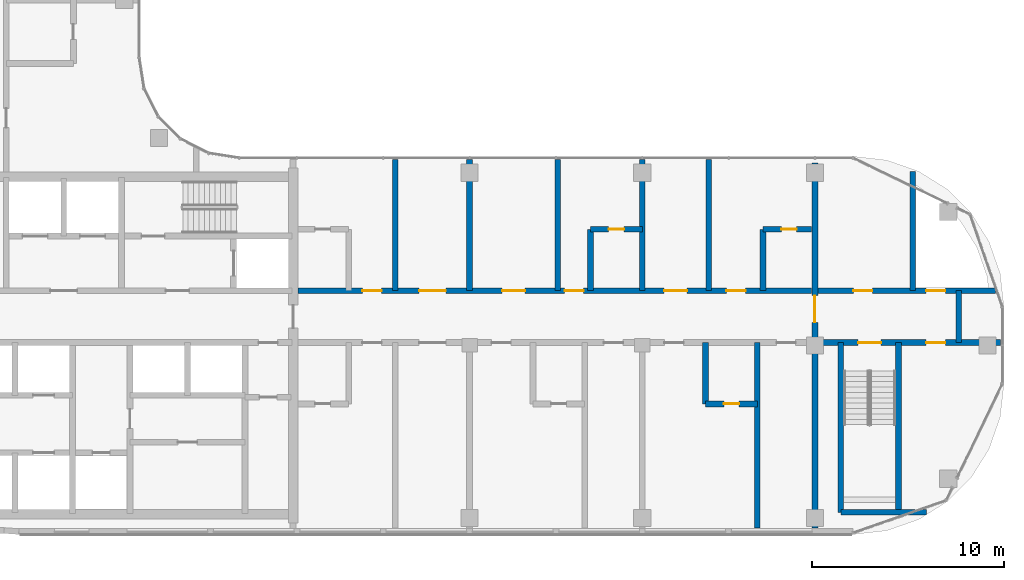
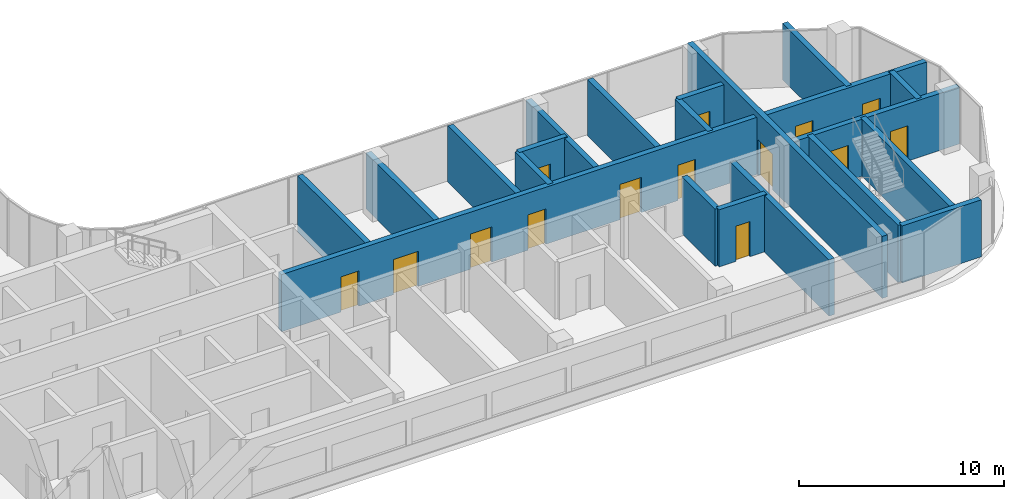
# One storey, part 15 of 20: 21 walls, 14 doors, 14 openings.
"""IFC4 building model written with IfcOpenShell, lengths in metres."""

from ifc_helpers import new_model, si_unit, direction, frame, frame_2d, origin, place, context, subcontext, project, spatial, rectangle, extrude, material, layer, layer_set, type_object, element, fill, save


model = new_model("IFC4")

# Units and contexts
model_context = context("Model", 3, precision=1e-05, world=origin(), true_north=direction((0.0, 1.0)))
body_context = subcontext(model_context, "Body", "Model", "MODEL_VIEW")
ifc_project = project(units=[si_unit("LENGTHUNIT", "METRE"), si_unit("AREAUNIT", "SQUARE_METRE"), si_unit("VOLUMEUNIT", "CUBIC_METRE"), si_unit("PLANEANGLEUNIT", "RADIAN"), si_unit("MASSUNIT", "GRAM", prefix="KILO")], contexts=[model_context])

# Site, building, storey
site_placement = place(None, origin())
site = spatial("IfcSite", under=ifc_project, at=site_placement, CompositionType="ELEMENT")
building_placement = place(site_placement, origin())
building = spatial("IfcBuilding", under=site, at=building_placement, Name="Ogive Portal Towers", CompositionType="ELEMENT")
storey_placement = place(building_placement, frame((0.0, 0.0, 210.60009765625)))
storey = spatial("IfcBuildingStorey", under=building, at=storey_placement, Name="L52", CompositionType="ELEMENT", Elevation=210.60009765625)

# Wall, opening, door
ifc_material_1 = material(Name="Concrete C60/75", Category="concrete")
ifc_layer_1 = layer(ifc_material_1, 0.300048828125)
ifc_layer_set_1 = layer_set([ifc_layer_1], Name="REVEAL WALL 300 C60")
wall_type_1 = type_object("IfcWallType", Name="REVEAL WALL 300 C60", PredefinedType="SHEAR", material=ifc_layer_set_1)
wall_1_placement = place(storey_placement, frame((85.5, 20.9951171875, 0.0), z_axis=(0.0, 0.0, 1.0), x_axis=(0.0, 1.0, 0.0)))
wall_1 = element("IfcWall", 1, at=wall_1_placement, inside=storey, type_object=wall_type_1, Name="Portal reveal wall L52", PredefinedType="SHEAR", context=body_context, shape_type="SweptSolid", body=[
    extrude(rectangle(XDim=19.009765625, YDim=0.300048828125, at=frame_2d((9.5048828125, 0.0))), origin(), (0.0, 0.0, 1.0), 3.699951171875),
])
opening_1_placement = place(wall_1_placement, frame((10.705078125, 0.0, 0.0)))
opening_1 = element("IfcOpeningElement", 2, at=opening_1_placement, cuts=wall_1, Name="Opening D23-060", PredefinedType="OPENING", context=body_context, shape_type="SweptSolid", body=[
    extrude(rectangle(XDim=1.39990234375, YDim=2.10009765625, at=frame_2d((0.699951171875, 1.050048828125))), frame((0.0, 0.16015625, 0.0), z_axis=(0.0, -1.0, 0.0), x_axis=(1.0, 0.0, 0.0)), (0.0, 0.0, 1.0), 0.320068359375),
])
ifc_material_2 = material(Name="Steel fire door", Category="steel")
door_type_1 = type_object("IfcDoorType", Name="DT-STAIR-1400x2100-FD90S", OperationType="SINGLE_SWING_LEFT", PredefinedType="DOOR", material=ifc_material_2)
door_1_placement = place(opening_1_placement, origin())
door_1 = element("IfcDoor", 3, at=door_1_placement, inside=storey, type_object=door_type_1, Name="Door D23-060", OperationType="SINGLE_SWING_RIGHT", OverallHeight=2.10009765625, OverallWidth=1.39990234375, PredefinedType="DOOR", context=body_context, shape_type="SweptSolid", body=[
    extrude(rectangle(XDim=1.39990234375, YDim=2.10009765625, at=frame_2d((0.699951171875, 1.050048828125))), frame((0.0, 0.02490234375, 0.0), z_axis=(0.0, -1.0, 0.0), x_axis=(1.0, 0.0, 0.0)), (0.0, 0.0, 1.0), 0.050048828125),
])
fill(opening_1, door_1)

# Wall
ifc_material_3 = material(Name="Concrete C50/60", Category="concrete")
ifc_layer_2 = layer(ifc_material_3, 0.300048828125)
ifc_layer_set_2 = layer_set([ifc_layer_2], Name="STAIR WALL 300 C50")
wall_type_2 = type_object("IfcWallType", Name="STAIR WALL 300 C50", PredefinedType="SHEAR", material=ifc_layer_set_2)
wall_2_placement = place(storey_placement, frame((86.85009765625, 21.800048828125, 0.0), z_axis=(0.0, 0.0, 1.0), x_axis=(1.0, 0.0, 0.0)))
element("IfcWall", 4, at=wall_2_placement, inside=storey, type_object=wall_type_2, Name="Stair wall ST-A4 L52", PredefinedType="SHEAR", context=body_context, shape_type="SweptSolid", body=[
    extrude(rectangle(XDim=4.4599609375, YDim=0.300048828125, at=frame_2d((2.22998046875, 0.0))), origin(), (0.0, 0.0, 1.0), 3.39990234375),
])

# Wall, openings, doors
wall_3_placement = place(storey_placement, frame((85.669921875, 30.64990234375, 0.0), z_axis=(0.0, 0.0, 1.0), x_axis=(1.0, 0.0, 0.0)))
wall_3 = element("IfcWall", 5, at=wall_3_placement, inside=storey, type_object=wall_type_2, Name="Stair wall ST-A4 L52", PredefinedType="SHEAR", context=body_context, shape_type="SweptSolid", body=[
    extrude(rectangle(XDim=9.51513671875, YDim=0.300048828125, at=frame_2d((4.757568359375, 0.0))), origin(), (0.0, 0.0, 1.0), 3.39990234375),
])
opening_2_placement = place(wall_3_placement, frame((2.080078125, 0.0, 0.0)))
opening_2 = element("IfcOpeningElement", 6, at=opening_2_placement, cuts=wall_3, Name="Opening D23-056", PredefinedType="OPENING", context=body_context, shape_type="SweptSolid", body=[
    extrude(rectangle(XDim=1.199951171875, YDim=2.10009765625, at=frame_2d((0.60009765625, 1.050048828125))), frame((0.0, 0.16015625, 0.0), z_axis=(0.0, -1.0, 0.0), x_axis=(1.0, 0.0, 0.0)), (0.0, 0.0, 1.0), 0.320068359375),
])
opening_3_placement = place(wall_3_placement, frame((5.6298828125, 0.0, 0.0)))
opening_3 = element("IfcOpeningElement", 7, at=opening_3_placement, cuts=wall_3, Name="Opening D23-059", PredefinedType="OPENING", context=body_context, shape_type="SweptSolid", body=[
    extrude(rectangle(XDim=1.0, YDim=2.10009765625, at=frame_2d((0.5, 1.050048828125))), frame((0.0, 0.16015625, 0.0), z_axis=(0.0, -1.0, 0.0), x_axis=(1.0, 0.0, 0.0)), (0.0, 0.0, 1.0), 0.320068359375),
])
door_type_2 = type_object("IfcDoorType", Name="DT-SERVICE-1000x2100-FD90S", OperationType="SINGLE_SWING_LEFT", PredefinedType="DOOR", material=ifc_material_2)
door_2_placement = place(opening_3_placement, origin())
door_2 = element("IfcDoor", 8, at=door_2_placement, inside=storey, type_object=door_type_2, Name="Door D23-059", OperationType="SINGLE_SWING_LEFT", OverallHeight=2.10009765625, OverallWidth=1.0, PredefinedType="DOOR", context=body_context, shape_type="SweptSolid", body=[
    extrude(rectangle(XDim=1.0, YDim=2.10009765625, at=frame_2d((0.5, 1.050048828125))), frame((0.0, 0.02490234375, 0.0), z_axis=(0.0, -1.0, 0.0), x_axis=(1.0, 0.0, 0.0)), (0.0, 0.0, 1.0), 0.050048828125),
])
fill(opening_3, door_2)
door_type_3 = type_object("IfcDoorType", Name="DT-STAIR-1200x2100-FD90S", OperationType="SINGLE_SWING_LEFT", PredefinedType="DOOR", material=ifc_material_2)
door_3_placement = place(opening_2_placement, origin())
door_3 = element("IfcDoor", 9, at=door_3_placement, inside=storey, type_object=door_type_3, Name="Door D23-056", OperationType="SINGLE_SWING_LEFT", OverallHeight=2.10009765625, OverallWidth=1.199951171875, PredefinedType="DOOR", context=body_context, shape_type="SweptSolid", body=[
    extrude(rectangle(XDim=1.199951171875, YDim=2.10009765625, at=frame_2d((0.60009765625, 1.050048828125))), frame((0.0, 0.02490234375, 0.0), z_axis=(0.0, -1.0, 0.0), x_axis=(1.0, 0.0, 0.0)), (0.0, 0.0, 1.0), 0.050048828125),
])
fill(opening_2, door_3)

# Walls
for number, where, z_axis, x_axis, name in (
    (10, (86.85009765625, 21.800048828125, 0.0), (0.0, 0.0, 1.0), (0.0, 1.0, 0.0), "Stair wall ST-A4 L52"),
    (11, (89.85009765625, 21.800048828125, 0.0), (0.0, 0.0, 1.0), (0.0, 1.0, 0.0), "Stair wall ST-A4 L52"),
):
    element("IfcWall", number, at=place(storey_placement, frame(where, z_axis=z_axis, x_axis=x_axis)), inside=storey, type_object=wall_type_2, Name=name, PredefinedType="SHEAR", context=body_context, shape_type="SweptSolid", body=[
        extrude(rectangle(XDim=8.849853515625, YDim=0.300048828125, at=frame_2d((4.4248046875, 0.0))), origin(), (0.0, 0.0, 1.0), 3.39990234375),
    ])

# Wall, openings, doors
ifc_material_4 = material(Name="Gypsum board partition on steel studs", Category="steel")
ifc_layer_3 = layer(ifc_material_4, 0.300048828125)
ifc_layer_set_3 = layer_set([ifc_layer_3], Name="WT-PART-300-EI 120")
wall_type_3 = type_object("IfcWallType", Name="WT-PART-300-EI 120", PredefinedType="PARTITIONING", material=ifc_layer_set_3)
wall_4_placement = place(storey_placement, frame((58.550048828125, 33.35009765625, 0.0), z_axis=(0.0, 0.0, 1.0), x_axis=(1.0, 0.0, 0.0)))
wall_4 = element("IfcWall", 12, at=wall_4_placement, inside=storey, type_object=wall_type_3, Name="Wall L52:w007", PredefinedType="PARTITIONING", context=body_context, shape_type="SweptSolid", body=[
    extrude(rectangle(XDim=26.780029296875, YDim=0.300048828125, at=frame_2d((13.39013671875, 0.0))), origin(), (0.0, 0.0, 1.0), 3.39990234375),
])
opening_4_placement = place(wall_4_placement, frame((3.364990234375, 0.0, 0.0)))
opening_4 = element("IfcOpeningElement", 13, at=opening_4_placement, cuts=wall_4, Name="Opening D23-028", PredefinedType="OPENING", context=body_context, shape_type="SweptSolid", body=[
    extrude(rectangle(XDim=1.0, YDim=2.10009765625, at=frame_2d((0.5, 1.050048828125))), frame((0.0, 0.16015625, 0.0), z_axis=(0.0, -1.0, 0.0), x_axis=(1.0, 0.0, 0.0)), (0.0, 0.0, 1.0), 0.320068359375),
])
opening_5_placement = place(wall_4_placement, frame((6.31494140625, 0.0, 0.0)))
opening_5 = element("IfcOpeningElement", 14, at=opening_5_placement, cuts=wall_4, Name="Opening D23-029", PredefinedType="OPENING", context=body_context, shape_type="SweptSolid", body=[
    extrude(rectangle(XDim=1.39990234375, YDim=2.10009765625, at=frame_2d((0.699951171875, 1.050048828125))), frame((0.0, 0.16015625, 0.0), z_axis=(0.0, -1.0, 0.0), x_axis=(1.0, 0.0, 0.0)), (0.0, 0.0, 1.0), 0.320068359375),
])
opening_6_placement = place(wall_4_placement, frame((10.64990234375, 0.0, 0.0)))
opening_6 = element("IfcOpeningElement", 15, at=opening_6_placement, cuts=wall_4, Name="Opening D23-033", PredefinedType="OPENING", context=body_context, shape_type="SweptSolid", body=[
    extrude(rectangle(XDim=1.199951171875, YDim=2.10009765625, at=frame_2d((0.60009765625, 1.050048828125))), frame((0.0, 0.16015625, 0.0), z_axis=(0.0, -1.0, 0.0), x_axis=(1.0, 0.0, 0.0)), (0.0, 0.0, 1.0), 0.320068359375),
])
opening_7_placement = place(wall_4_placement, frame((13.89990234375, 0.0, 0.0)))
opening_7 = element("IfcOpeningElement", 16, at=opening_7_placement, cuts=wall_4, Name="Opening D23-035", PredefinedType="OPENING", context=body_context, shape_type="SweptSolid", body=[
    extrude(rectangle(XDim=1.0, YDim=2.10009765625, at=frame_2d((0.5, 1.050048828125))), frame((0.0, 0.16015625, 0.0), z_axis=(0.0, -1.0, 0.0), x_axis=(1.0, 0.0, 0.0)), (0.0, 0.0, 1.0), 0.320068359375),
])
opening_8_placement = place(wall_4_placement, frame((19.0849609375, 0.0, 0.0)))
opening_8 = element("IfcOpeningElement", 17, at=opening_8_placement, cuts=wall_4, Name="Opening D23-039", PredefinedType="OPENING", context=body_context, shape_type="SweptSolid", body=[
    extrude(rectangle(XDim=1.199951171875, YDim=2.10009765625, at=frame_2d((0.60009765625, 1.050048828125))), frame((0.0, 0.16015625, 0.0), z_axis=(0.0, -1.0, 0.0), x_axis=(1.0, 0.0, 0.0)), (0.0, 0.0, 1.0), 0.320068359375),
])
opening_9_placement = place(wall_4_placement, frame((22.3349609375, 0.0, 0.0)))
opening_9 = element("IfcOpeningElement", 18, at=opening_9_placement, cuts=wall_4, Name="Opening D23-041", PredefinedType="OPENING", context=body_context, shape_type="SweptSolid", body=[
    extrude(rectangle(XDim=1.0, YDim=2.10009765625, at=frame_2d((0.5, 1.050048828125))), frame((0.0, 0.16015625, 0.0), z_axis=(0.0, -1.0, 0.0), x_axis=(1.0, 0.0, 0.0)), (0.0, 0.0, 1.0), 0.320068359375),
])
door_type_4 = type_object("IfcDoorType", Name="DT-ENTRY-1000x2100-FD90S", OperationType="SINGLE_SWING_LEFT", PredefinedType="DOOR", material=ifc_material_2)
door_4_placement = place(opening_4_placement, origin())
door_4 = element("IfcDoor", 19, at=door_4_placement, inside=storey, type_object=door_type_4, Name="Door D23-028", OperationType="SINGLE_SWING_LEFT", OverallHeight=2.10009765625, OverallWidth=1.0, PredefinedType="DOOR", context=body_context, shape_type="SweptSolid", body=[
    extrude(rectangle(XDim=1.0, YDim=2.10009765625, at=frame_2d((0.5, 1.050048828125))), frame((0.0, 0.02490234375, 0.0), z_axis=(0.0, -1.0, 0.0), x_axis=(1.0, 0.0, 0.0)), (0.0, 0.0, 1.0), 0.050048828125),
])
fill(opening_4, door_4)
door_5_placement = place(opening_7_placement, origin())
door_5 = element("IfcDoor", 20, at=door_5_placement, inside=storey, type_object=door_type_4, Name="Door D23-035", OperationType="SINGLE_SWING_LEFT", OverallHeight=2.10009765625, OverallWidth=1.0, PredefinedType="DOOR", context=body_context, shape_type="SweptSolid", body=[
    extrude(rectangle(XDim=1.0, YDim=2.10009765625, at=frame_2d((0.5, 1.050048828125))), frame((0.0, 0.02490234375, 0.0), z_axis=(0.0, -1.0, 0.0), x_axis=(1.0, 0.0, 0.0)), (0.0, 0.0, 1.0), 0.050048828125),
])
fill(opening_7, door_5)
door_6_placement = place(opening_9_placement, origin())
door_6 = element("IfcDoor", 21, at=door_6_placement, inside=storey, type_object=door_type_4, Name="Door D23-041", OperationType="SINGLE_SWING_LEFT", OverallHeight=2.10009765625, OverallWidth=1.0, PredefinedType="DOOR", context=body_context, shape_type="SweptSolid", body=[
    extrude(rectangle(XDim=1.0, YDim=2.10009765625, at=frame_2d((0.5, 1.050048828125))), frame((0.0, 0.02490234375, 0.0), z_axis=(0.0, -1.0, 0.0), x_axis=(1.0, 0.0, 0.0)), (0.0, 0.0, 1.0), 0.050048828125),
])
fill(opening_9, door_6)
door_type_5 = type_object("IfcDoorType", Name="DT-ENTRY-1200x2100-FD90S", OperationType="SINGLE_SWING_LEFT", PredefinedType="DOOR", material=ifc_material_2)
door_7_placement = place(opening_6_placement, origin())
door_7 = element("IfcDoor", 22, at=door_7_placement, inside=storey, type_object=door_type_5, Name="Door D23-033", OperationType="SINGLE_SWING_LEFT", OverallHeight=2.10009765625, OverallWidth=1.199951171875, PredefinedType="DOOR", context=body_context, shape_type="SweptSolid", body=[
    extrude(rectangle(XDim=1.199951171875, YDim=2.10009765625, at=frame_2d((0.60009765625, 1.050048828125))), frame((0.0, 0.02490234375, 0.0), z_axis=(0.0, -1.0, 0.0), x_axis=(1.0, 0.0, 0.0)), (0.0, 0.0, 1.0), 0.050048828125),
])
fill(opening_6, door_7)
door_8_placement = place(opening_8_placement, origin())
door_8 = element("IfcDoor", 23, at=door_8_placement, inside=storey, type_object=door_type_5, Name="Door D23-039", OperationType="SINGLE_SWING_LEFT", OverallHeight=2.10009765625, OverallWidth=1.199951171875, PredefinedType="DOOR", context=body_context, shape_type="SweptSolid", body=[
    extrude(rectangle(XDim=1.199951171875, YDim=2.10009765625, at=frame_2d((0.60009765625, 1.050048828125))), frame((0.0, 0.02490234375, 0.0), z_axis=(0.0, -1.0, 0.0), x_axis=(1.0, 0.0, 0.0)), (0.0, 0.0, 1.0), 0.050048828125),
])
fill(opening_8, door_8)
door_type_6 = type_object("IfcDoorType", Name="DT-ENTRY-1400x2100-FD90S", OperationType="SINGLE_SWING_LEFT", PredefinedType="DOOR", material=ifc_material_2)
door_9_placement = place(opening_5_placement, origin())
door_9 = element("IfcDoor", 24, at=door_9_placement, inside=storey, type_object=door_type_6, Name="Door D23-029", OperationType="SINGLE_SWING_RIGHT", OverallHeight=2.10009765625, OverallWidth=1.39990234375, PredefinedType="DOOR", context=body_context, shape_type="SweptSolid", body=[
    extrude(rectangle(XDim=1.39990234375, YDim=2.10009765625, at=frame_2d((0.699951171875, 1.050048828125))), frame((0.0, 0.02490234375, 0.0), z_axis=(0.0, -1.0, 0.0), x_axis=(1.0, 0.0, 0.0)), (0.0, 0.0, 1.0), 0.050048828125),
])
fill(opening_5, door_9)

wall_5_placement = place(storey_placement, frame((85.669921875, 33.35009765625, 0.0), z_axis=(0.0, 0.0, 1.0), x_axis=(1.0, 0.0, 0.0)))
wall_5 = element("IfcWall", 25, at=wall_5_placement, inside=storey, type_object=wall_type_3, Name="Wall L52:w008", PredefinedType="PARTITIONING", context=body_context, shape_type="SweptSolid", body=[
    extrude(rectangle(XDim=9.237060546875, YDim=0.300048828125, at=frame_2d((4.61865234375, 0.0))), origin(), (0.0, 0.0, 1.0), 3.349853515625),
])
opening_10_placement = place(wall_5_placement, frame((1.830078125, 0.0, 0.0)))
opening_10 = element("IfcOpeningElement", 26, at=opening_10_placement, cuts=wall_5, Name="Opening D23-057", PredefinedType="OPENING", context=body_context, shape_type="SweptSolid", body=[
    extrude(rectangle(XDim=1.0, YDim=2.10009765625, at=frame_2d((0.5, 1.050048828125))), frame((0.0, 0.16015625, 0.0), z_axis=(0.0, -1.0, 0.0), x_axis=(1.0, 0.0, 0.0)), (0.0, 0.0, 1.0), 0.320068359375),
])
opening_11_placement = place(wall_5_placement, frame((5.6298828125, 0.0, 0.0)))
opening_11 = element("IfcOpeningElement", 27, at=opening_11_placement, cuts=wall_5, Name="Opening D23-058", PredefinedType="OPENING", context=body_context, shape_type="SweptSolid", body=[
    extrude(rectangle(XDim=1.0, YDim=2.10009765625, at=frame_2d((0.5, 1.050048828125))), frame((0.0, 0.16015625, 0.0), z_axis=(0.0, -1.0, 0.0), x_axis=(1.0, 0.0, 0.0)), (0.0, 0.0, 1.0), 0.320068359375),
])
door_10_placement = place(opening_10_placement, origin())
door_10 = element("IfcDoor", 28, at=door_10_placement, inside=storey, type_object=door_type_2, Name="Door D23-057", OperationType="SINGLE_SWING_LEFT", OverallHeight=2.10009765625, OverallWidth=1.0, PredefinedType="DOOR", context=body_context, shape_type="SweptSolid", body=[
    extrude(rectangle(XDim=1.0, YDim=2.10009765625, at=frame_2d((0.5, 1.050048828125))), frame((0.0, 0.02490234375, 0.0), z_axis=(0.0, -1.0, 0.0), x_axis=(1.0, 0.0, 0.0)), (0.0, 0.0, 1.0), 0.050048828125),
])
fill(opening_10, door_10)
door_11_placement = place(opening_11_placement, origin())
door_11 = element("IfcDoor", 29, at=door_11_placement, inside=storey, type_object=door_type_2, Name="Riser access door D23-058", OperationType="SINGLE_SWING_RIGHT", OverallHeight=2.10009765625, OverallWidth=1.0, PredefinedType="DOOR", context=body_context, shape_type="SweptSolid", body=[
    extrude(rectangle(XDim=1.0, YDim=2.10009765625, at=frame_2d((0.5, 1.050048828125))), frame((0.0, 0.02490234375, 0.0), z_axis=(0.0, -1.0, 0.0), x_axis=(1.0, 0.0, 0.0)), (0.0, 0.0, 1.0), 0.050048828125),
])
fill(opening_11, door_11)

# Wall
wall_6_placement = place(storey_placement, frame((93.0, 30.64990234375, 0.0), z_axis=(0.0, 0.0, 1.0), x_axis=(0.0, 1.0, 0.0)))
element("IfcWall", 30, at=wall_6_placement, inside=storey, type_object=wall_type_3, Name="Wall L52:w048", PredefinedType="PARTITIONING", context=body_context, shape_type="SweptSolid", body=[
    extrude(rectangle(XDim=2.7001953125, YDim=0.300048828125, at=frame_2d((1.35009765625, 0.0))), origin(), (0.0, 0.0, 1.0), 3.39990234375),
])

# Wall, opening, door
ifc_layer_4 = layer(ifc_material_4, 0.300048828125)
ifc_layer_set_4 = layer_set([ifc_layer_4], Name="WT-PART-300-EI 60")
wall_type_4 = type_object("IfcWallType", Name="WT-PART-300-EI 60", PredefinedType="PARTITIONING", material=ifc_layer_set_4)
wall_7_placement = place(storey_placement, frame((79.800048828125, 27.449951171875, 0.0), z_axis=(0.0, 0.0, 1.0), x_axis=(1.0, 0.0, 0.0)))
wall_7 = element("IfcWall", 31, at=wall_7_placement, inside=storey, type_object=wall_type_4, Name="Wall L52:w004", PredefinedType="PARTITIONING", context=body_context, shape_type="SweptSolid", body=[
    extrude(rectangle(XDim=2.699951171875, YDim=0.300048828125, at=frame_2d((1.35009765625, 0.0))), origin(), (0.0, 0.0, 1.0), 3.39990234375),
])
opening_12_placement = place(wall_7_placement, frame((0.949951171875, 0.0, 0.0)))
opening_12 = element("IfcOpeningElement", 32, at=opening_12_placement, cuts=wall_7, Name="Opening D23-042", PredefinedType="OPENING", context=body_context, shape_type="SweptSolid", body=[
    extrude(rectangle(XDim=0.800048828125, YDim=2.10009765625, at=frame_2d((0.39990234375, 1.050048828125))), frame((0.0, 0.16015625, 0.0), z_axis=(0.0, -1.0, 0.0), x_axis=(1.0, 0.0, 0.0)), (0.0, 0.0, 1.0), 0.320068359375),
])
door_type_7 = type_object("IfcDoorType", Name="DT-BATH-800x2100-FD60S", OperationType="SINGLE_SWING_LEFT", PredefinedType="DOOR", material=ifc_material_2)
door_12_placement = place(opening_12_placement, origin())
door_12 = element("IfcDoor", 33, at=door_12_placement, inside=storey, type_object=door_type_7, Name="Door D23-042", OperationType="SINGLE_SWING_LEFT", OverallHeight=2.10009765625, OverallWidth=0.800048828125, PredefinedType="DOOR", context=body_context, shape_type="SweptSolid", body=[
    extrude(rectangle(XDim=0.800048828125, YDim=2.10009765625, at=frame_2d((0.39990234375, 1.050048828125))), frame((0.0, 0.02490234375, 0.0), z_axis=(0.0, -1.0, 0.0), x_axis=(1.0, 0.0, 0.0)), (0.0, 0.0, 1.0), 0.050048828125),
])
fill(opening_12, door_12)

wall_8_placement = place(storey_placement, frame((73.800048828125, 36.550048828125, 0.0), z_axis=(0.0, 0.0, 1.0), x_axis=(1.0, 0.0, 0.0)))
wall_8 = element("IfcWall", 34, at=wall_8_placement, inside=storey, type_object=wall_type_4, Name="Wall L52:w010", PredefinedType="PARTITIONING", context=body_context, shape_type="SweptSolid", body=[
    extrude(rectangle(XDim=2.699951171875, YDim=0.300048828125, at=frame_2d((1.35009765625, 0.0))), origin(), (0.0, 0.0, 1.0), 3.39990234375),
])
opening_13_placement = place(wall_8_placement, frame((0.949951171875, 0.0, 0.0)))
opening_13 = element("IfcOpeningElement", 35, at=opening_13_placement, cuts=wall_8, Name="Opening D23-034", PredefinedType="OPENING", context=body_context, shape_type="SweptSolid", body=[
    extrude(rectangle(XDim=0.800048828125, YDim=2.10009765625, at=frame_2d((0.39990234375, 1.050048828125))), frame((0.0, 0.16015625, 0.0), z_axis=(0.0, -1.0, 0.0), x_axis=(1.0, 0.0, 0.0)), (0.0, 0.0, 1.0), 0.320068359375),
])
door_13_placement = place(opening_13_placement, origin())
door_13 = element("IfcDoor", 36, at=door_13_placement, inside=storey, type_object=door_type_7, Name="Door D23-034", OperationType="SINGLE_SWING_RIGHT", OverallHeight=2.10009765625, OverallWidth=0.800048828125, PredefinedType="DOOR", context=body_context, shape_type="SweptSolid", body=[
    extrude(rectangle(XDim=0.800048828125, YDim=2.10009765625, at=frame_2d((0.39990234375, 1.050048828125))), frame((0.0, 0.02490234375, 0.0), z_axis=(0.0, -1.0, 0.0), x_axis=(1.0, 0.0, 0.0)), (0.0, 0.0, 1.0), 0.050048828125),
])
fill(opening_13, door_13)

wall_9_placement = place(storey_placement, frame((82.800048828125, 36.550048828125, 0.0), z_axis=(0.0, 0.0, 1.0), x_axis=(1.0, 0.0, 0.0)))
wall_9 = element("IfcWall", 37, at=wall_9_placement, inside=storey, type_object=wall_type_4, Name="Wall L52:w011", PredefinedType="PARTITIONING", context=body_context, shape_type="SweptSolid", body=[
    extrude(rectangle(XDim=2.530029296875, YDim=0.300048828125, at=frame_2d((1.26513671875, 0.0))), origin(), (0.0, 0.0, 1.0), 3.39990234375),
])
opening_14_placement = place(wall_9_placement, frame((0.949951171875, 0.0, 0.0)))
opening_14 = element("IfcOpeningElement", 38, at=opening_14_placement, cuts=wall_9, Name="Opening D23-040", PredefinedType="OPENING", context=body_context, shape_type="SweptSolid", body=[
    extrude(rectangle(XDim=0.800048828125, YDim=2.10009765625, at=frame_2d((0.39990234375, 1.050048828125))), frame((0.0, 0.16015625, 0.0), z_axis=(0.0, -1.0, 0.0), x_axis=(1.0, 0.0, 0.0)), (0.0, 0.0, 1.0), 0.320068359375),
])
door_14_placement = place(opening_14_placement, origin())
door_14 = element("IfcDoor", 39, at=door_14_placement, inside=storey, type_object=door_type_7, Name="Door D23-040", OperationType="SINGLE_SWING_RIGHT", OverallHeight=2.10009765625, OverallWidth=0.800048828125, PredefinedType="DOOR", context=body_context, shape_type="SweptSolid", body=[
    extrude(rectangle(XDim=0.800048828125, YDim=2.10009765625, at=frame_2d((0.39990234375, 1.050048828125))), frame((0.0, 0.02490234375, 0.0), z_axis=(0.0, -1.0, 0.0), x_axis=(1.0, 0.0, 0.0)), (0.0, 0.0, 1.0), 0.050048828125),
])
fill(opening_14, door_14)

# Walls
for number, where, z_axis, x_axis, name in (
    (40, (63.6298828125, 33.35009765625, 0.0), (0.0, 0.0, 1.0), (0.0, 1.0, 0.0), "Wall L52:w032"),
    (41, (67.5, 33.35009765625, 0.0), (0.0, 0.0, 1.0), (0.0, 1.0, 0.0), "Wall L52:w034"),
    (42, (72.10009765625, 33.35009765625, 0.0), (0.0, 0.0, 1.0), (0.0, 1.0, 0.0), "Wall L52:w036"),
):
    element("IfcWall", number, at=place(storey_placement, frame(where, z_axis=z_axis, x_axis=x_axis)), inside=storey, type_object=wall_type_4, Name=name, PredefinedType="PARTITIONING", context=body_context, shape_type="SweptSolid", body=[
        extrude(rectangle(XDim=6.8349609375, YDim=0.300048828125, at=frame_2d((3.41748046875, 0.0))), origin(), (0.0, 0.0, 1.0), 3.349853515625),
    ])
wall_10_placement = place(storey_placement, frame((73.800048828125, 33.35009765625, 0.0), z_axis=(0.0, 0.0, 1.0), x_axis=(0.0, 1.0, 0.0)))
element("IfcWall", 43, at=wall_10_placement, inside=storey, type_object=wall_type_4, Name="Wall L52:w038", PredefinedType="PARTITIONING", context=body_context, shape_type="SweptSolid", body=[
    extrude(rectangle(XDim=3.199951171875, YDim=0.300048828125, at=frame_2d((1.60009765625, 0.0))), origin(), (0.0, 0.0, 1.0), 3.39990234375),
])
wall_11_placement = place(storey_placement, frame((76.5, 33.35009765625, 0.0), z_axis=(0.0, 0.0, 1.0), x_axis=(0.0, 1.0, 0.0)))
element("IfcWall", 44, at=wall_11_placement, inside=storey, type_object=wall_type_4, Name="Wall L52:w040", PredefinedType="PARTITIONING", context=body_context, shape_type="SweptSolid", body=[
    extrude(rectangle(XDim=6.8349609375, YDim=0.300048828125, at=frame_2d((3.41748046875, 0.0))), origin(), (0.0, 0.0, 1.0), 3.349853515625),
])
wall_12_placement = place(storey_placement, frame((79.800048828125, 27.449951171875, 0.0), z_axis=(0.0, 0.0, 1.0), x_axis=(0.0, 1.0, 0.0)))
element("IfcWall", 45, at=wall_12_placement, inside=storey, type_object=wall_type_4, Name="Wall L52:w041", PredefinedType="PARTITIONING", context=body_context, shape_type="SweptSolid", body=[
    extrude(rectangle(XDim=3.199951171875, YDim=0.300048828125, at=frame_2d((1.60009765625, 0.0))), origin(), (0.0, 0.0, 1.0), 3.39990234375),
])
wall_13_placement = place(storey_placement, frame((79.969970703125, 33.35009765625, 0.0), z_axis=(0.0, 0.0, 1.0), x_axis=(0.0, 1.0, 0.0)))
element("IfcWall", 46, at=wall_13_placement, inside=storey, type_object=wall_type_4, Name="Wall L52:w042", PredefinedType="PARTITIONING", context=body_context, shape_type="SweptSolid", body=[
    extrude(rectangle(XDim=6.8349609375, YDim=0.300048828125, at=frame_2d((3.41748046875, 0.0))), origin(), (0.0, 0.0, 1.0), 3.349853515625),
])
wall_14_placement = place(storey_placement, frame((82.5, 20.9951171875, 0.0), z_axis=(0.0, 0.0, 1.0), x_axis=(0.0, 1.0, 0.0)))
element("IfcWall", 47, at=wall_14_placement, inside=storey, type_object=wall_type_4, Name="Wall L52:w043", PredefinedType="PARTITIONING", context=body_context, shape_type="SweptSolid", body=[
    extrude(rectangle(XDim=9.65478515625, YDim=0.300048828125, at=frame_2d((4.827392578125, 0.0))), origin(), (0.0, 0.0, 1.0), 3.349853515625),
])
wall_15_placement = place(storey_placement, frame((82.800048828125, 33.35009765625, 0.0), z_axis=(0.0, 0.0, 1.0), x_axis=(0.0, 1.0, 0.0)))
element("IfcWall", 48, at=wall_15_placement, inside=storey, type_object=wall_type_4, Name="Wall L52:w044", PredefinedType="PARTITIONING", context=body_context, shape_type="SweptSolid", body=[
    extrude(rectangle(XDim=3.199951171875, YDim=0.300048828125, at=frame_2d((1.60009765625, 0.0))), origin(), (0.0, 0.0, 1.0), 3.39990234375),
])
wall_16_placement = place(storey_placement, frame((90.60009765625, 33.35009765625, 0.0), z_axis=(0.0, 0.0, 1.0), x_axis=(0.0, 1.0, 0.0)))
element("IfcWall", 49, at=wall_16_placement, inside=storey, type_object=wall_type_4, Name="Wall L52:w047", PredefinedType="PARTITIONING", context=body_context, shape_type="SweptSolid", body=[
    extrude(rectangle(XDim=6.218994140625, YDim=0.300048828125, at=frame_2d((3.109375, 0.0))), origin(), (0.0, 0.0, 1.0), 3.349853515625),
])

save(model, "model.ifc")
